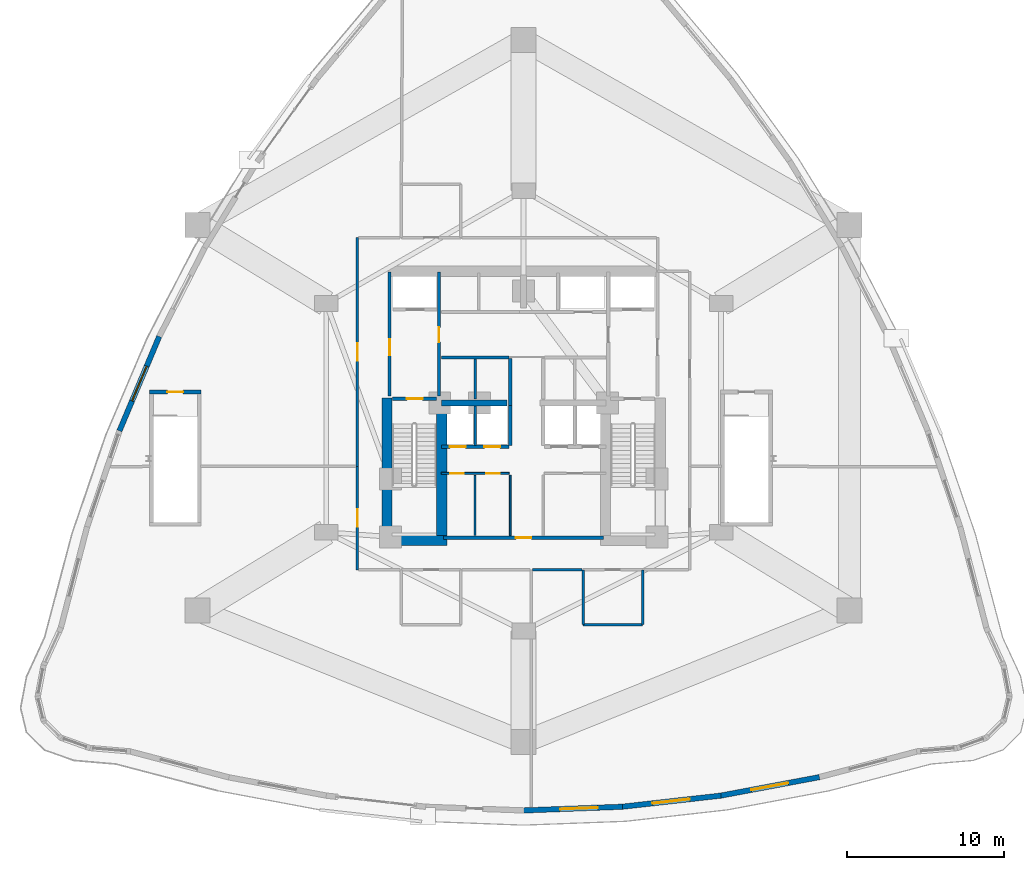
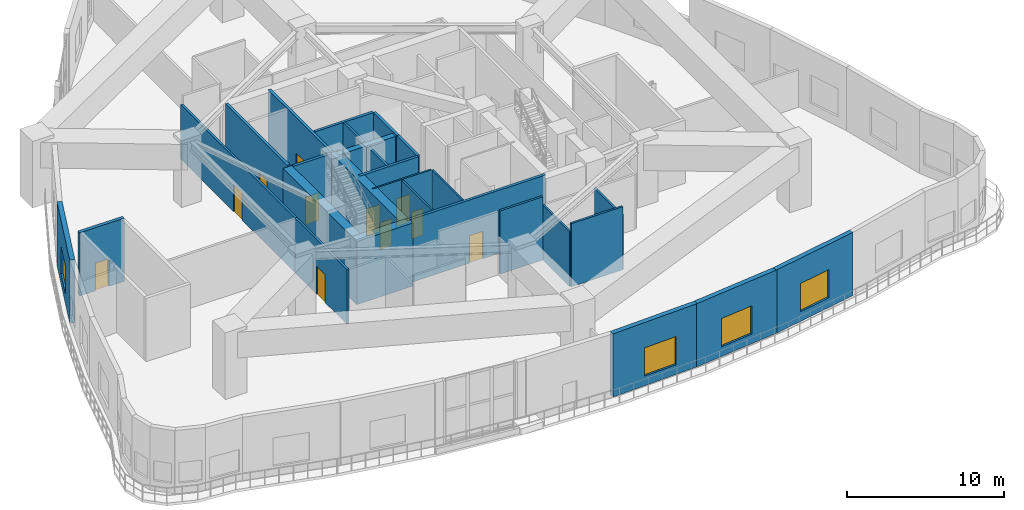
# One storey, part 12 of 19: 28 walls, 11 doors, 4 windows, 15 openings.
"""IFC4 building model written with IfcOpenShell, lengths in metres."""

from ifc_helpers import new_model, si_unit, direction, frame, frame_2d, origin, place, context, subcontext, project, spatial, rectangle, extrude, material, layer, layer_set, type_object, element, fill, save


model = new_model("IFC4")

# Units and contexts
model_context = context("Model", 3, precision=1e-05, world=origin(), true_north=direction((0.0, 1.0)))
body_context = subcontext(model_context, "Body", "Model", "MODEL_VIEW")
ifc_project = project(units=[si_unit("LENGTHUNIT", "METRE"), si_unit("AREAUNIT", "SQUARE_METRE"), si_unit("VOLUMEUNIT", "CUBIC_METRE"), si_unit("PLANEANGLEUNIT", "RADIAN"), si_unit("MASSUNIT", "GRAM", prefix="KILO")], contexts=[model_context])

# Site, building, storey
site_placement = place(None, origin())
site = spatial("IfcSite", under=ifc_project, at=site_placement, CompositionType="ELEMENT")
building_placement = place(site_placement, origin())
building = spatial("IfcBuilding", under=site, at=building_placement, Name="Miruveldt Soraemaru", CompositionType="ELEMENT")
storey_placement = place(building_placement, frame((0.0, 0.0, 24.0)))
storey = spatial("IfcBuildingStorey", under=building, at=storey_placement, Name="L06", CompositionType="ELEMENT", Elevation=24.0)

# Wall
ifc_material_1 = material(Name="Concrete C70/85 (70 MPa)", Category="concrete")
ifc_layer_1 = layer(ifc_material_1, 0.5, Name="Concrete C70/85 (70 MPa)", Category="concrete")
ifc_layer_set_1 = layer_set([ifc_layer_1], Name="Concrete C70/85 (70 MPa)")
wall_type_1 = type_object("IfcWallType", Name="WALL-BW-500", PredefinedType="SHEAR", material=ifc_layer_set_1)
wall_1_placement = place(storey_placement, frame((38.75, 44.050048828125, 0.0), z_axis=(0.0, 0.0, 1.0), x_axis=(1.0, 0.0, 0.0)))
element("IfcWall", 1, at=wall_1_placement, inside=storey, type_object=wall_type_1, Name="L06 Core Buttress Shear Wall BW", PredefinedType="SHEAR", context=body_context, shape_type="SweptSolid", body=[
    extrude(rectangle(XDim=4.199951171875, YDim=0.39990234375, at=frame_2d((2.10009765625, 0.0))), origin(), (0.0, 0.0, 1.0), 4.925048828125),
])

# Wall, opening, door
ifc_material_2 = material(Name="Concrete C50/60 (50 MPa)", Category="concrete")
ifc_layer_2 = layer(ifc_material_2, 0.419921875, Name="Concrete C50/60 (50 MPa)", Category="concrete")
ifc_layer_set_2 = layer_set([ifc_layer_2], Name="Concrete C50/60 (50 MPa)")
wall_type_2 = type_object("IfcWallType", Name="WALL-CW-420", PredefinedType="SHEAR", material=ifc_layer_set_2)
wall_2_placement = place(storey_placement, frame((20.1298828125, 44.75, 0.0), z_axis=(0.0, 0.0, 1.0), x_axis=(1.0, 0.0, 0.0)))
wall_2 = element("IfcWall", 2, at=wall_2_placement, inside=storey, type_object=wall_type_2, Name="L06 Protected Exit Stair ST-3 Structural Shaft Wall N", PredefinedType="SHEAR", context=body_context, shape_type="SweptSolid", body=[
    extrude(rectangle(XDim=3.2900390625, YDim=0.239990234375, at=frame_2d((1.64501953125, 0.0))), origin(), (0.0, 0.0, 1.0), 4.925048828125),
])
opening_1_placement = place(wall_2_placement, frame((1.14501953125, 0.0, 0.0)))
opening_1 = element("IfcOpeningElement", 3, at=opening_1_placement, cuts=wall_2, Name="Opening FD1", PredefinedType="OPENING", context=body_context, shape_type="SweptSolid", body=[
    extrude(rectangle(XDim=1.0, YDim=2.14990234375, at=frame_2d((0.5, 1.074951171875))), frame((0.0, 0.1298828125, 0.0), z_axis=(0.0, -1.0, 0.0), x_axis=(1.0, 0.0, 0.0)), (0.0, 0.0, 1.0), 0.260009765625),
])
ifc_material_3 = material(Name="Anodised aluminium EN AW-6063 T6", Category="aluminium")
door_type_1 = type_object("IfcDoorType", Name="DOOR-FD1-1000", OperationType="NOTDEFINED", PredefinedType="DOOR", material=ifc_material_3)
door_1_placement = place(opening_1_placement, frame((1.0, 0.0, 0.0), z_axis=(0.0, 0.0, 1.0), x_axis=(-1.0, 0.0, 0.0)))
door_1 = element("IfcDoor", 4, at=door_1_placement, inside=storey, type_object=door_type_1, Name="L06 Protected Exit Stair ST-3 Fire Door", OperationType="SINGLE_SWING_LEFT", OverallHeight=2.14990234375, OverallWidth=1.0, PredefinedType="DOOR", context=body_context, shape_type="SweptSolid", body=[
    extrude(rectangle(XDim=1.0, YDim=2.14990234375, at=frame_2d((0.5, 1.074951171875))), frame((0.0, 0.02490234375, 0.0), z_axis=(0.0, -1.0, 0.0), x_axis=(1.0, 0.0, 0.0)), (0.0, 0.0, 1.0), 0.050048828125),
])
fill(opening_1, door_1)

# Walls
ifc_material_4 = material(Name="Concrete C80/95 (80 MPa)", Category="concrete")
ifc_layer_3 = layer(ifc_material_4, 0.64990234375, Name="Concrete C80/95 (80 MPa)", Category="concrete")
ifc_layer_set_3 = layer_set([ifc_layer_3], Name="Concrete C80/95 (80 MPa)")
wall_type_3 = type_object("IfcWallType", Name="WALL-CW-650", PredefinedType="SHEAR", material=ifc_layer_set_3)
wall_3_placement = place(storey_placement, frame((34.949951171875, 35.27490234375, 0.0), z_axis=(0.0, 0.0, 1.0), x_axis=(1.0, 0.0, 0.0)))
element("IfcWall", 5, at=wall_3_placement, inside=storey, type_object=wall_type_3, Name="L06 Central Core Shear Wall S1", PredefinedType="SHEAR", context=body_context, shape_type="SweptSolid", body=[
    extrude(rectangle(XDim=4.150146484375, YDim=0.64990234375, at=frame_2d((2.0751953125, 0.0))), origin(), (0.0, 0.0, 1.0), 4.925048828125),
])
wall_4_placement = place(storey_placement, frame((35.27490234375, 34.949951171875, 0.0), z_axis=(0.0, 0.0, 1.0), x_axis=(0.0, 1.0, 0.0)))
element("IfcWall", 6, at=wall_4_placement, inside=storey, type_object=wall_type_3, Name="L06 Central Core Shear Wall W1", PredefinedType="SHEAR", context=body_context, shape_type="SweptSolid", body=[
    extrude(rectangle(XDim=9.400146484375, YDim=0.64990234375, at=frame_2d((4.7001953125, 0.0))), origin(), (0.0, 0.0, 1.0), 4.925048828125),
])
wall_5_placement = place(storey_placement, frame((38.77490234375, 35.39990234375, 0.0), z_axis=(0.0, 0.0, 1.0), x_axis=(0.0, 1.0, 0.0)))
element("IfcWall", 7, at=wall_5_placement, inside=storey, type_object=wall_type_3, Name="L06 Central Core Shear Wall SW-INT", PredefinedType="SHEAR", context=body_context, shape_type="SweptSolid", body=[
    extrude(rectangle(XDim=8.9501953125, YDim=0.64990234375, at=frame_2d((4.47509765625, 0.0))), origin(), (0.0, 0.0, 1.0), 4.925048828125),
])

# Wall, opening, window
ifc_material_5 = material(Name="Precast concrete C45/55 (45 MPa)", Category="concrete")
ifc_layer_4 = layer(ifc_material_5, 0.340087890625, Name="Precast concrete C45/55 (45 MPa)", Category="concrete")
ifc_layer_set_4 = layer_set([ifc_layer_4], Name="Precast concrete C45/55 (45 MPa)")
wall_type_4 = type_object("IfcWallType", Name="WALL-EXT-PC340", PredefinedType="SOLIDWALL", material=ifc_layer_set_4)
wall_6_placement = place(storey_placement, frame((20.748046875, 48.29052734375, 0.0), z_axis=(0.0, 0.0, 1.0), x_axis=(-0.388364391847, -0.921505886658, 0.0)))
wall_6 = element("IfcWall", 8, at=wall_6_placement, inside=storey, type_object=wall_type_4, Name="L06 Precast Concrete Facade Wall 12", PredefinedType="SOLIDWALL", context=body_context, shape_type="SweptSolid", body=[
    extrude(rectangle(XDim=6.53271484375, YDim=0.340087890625, at=frame_2d((3.266357421875, 0.0))), origin(), (0.0, 0.0, 1.0), 4.925048828125),
])
opening_2_placement = place(wall_6_placement, frame((2.06591796875, 0.0, 0.75)))
opening_2 = element("IfcOpeningElement", 9, at=opening_2_placement, cuts=wall_6, Name="Opening WN-5", PredefinedType="OPENING", context=body_context, shape_type="SweptSolid", body=[
    extrude(rectangle(XDim=2.39990234375, YDim=2.199951171875, at=frame_2d((1.199951171875, 1.10009765625))), frame((0.0, 0.18017578125, 0.0), z_axis=(0.0, -1.0, 0.0), x_axis=(1.0, 0.0, 0.0)), (0.0, 0.0, 1.0), 0.360107421875),
])
ifc_material_6 = material(Name="Triple low-e insulated glazing", Category="glass")
window_type = type_object("IfcWindowType", Name="WIN-PODM-2400x2200", PartitioningType="SINGLE_PANEL", PredefinedType="WINDOW", material=ifc_material_6)
window_1_placement = place(opening_2_placement, origin())
window_1 = element("IfcWindow", 10, at=window_1_placement, inside=storey, type_object=window_type, Name="L06 Punched Triple-Glazed Window 12.1", OverallHeight=2.199951171875, OverallWidth=2.39990234375, PartitioningType="SINGLE_PANEL", PredefinedType="WINDOW", context=body_context, shape_type="SweptSolid", body=[
    extrude(rectangle(XDim=2.39990234375, YDim=2.199951171875, at=frame_2d((1.199951171875, 1.10009765625))), frame((0.0, 0.030029296875, 0.0), z_axis=(0.0, -1.0, 0.0), x_axis=(1.0, 0.0, 0.0)), (0.0, 0.0, 1.0), 0.06005859375),
])
fill(opening_2, window_1)

wall_7_placement = place(storey_placement, frame((43.965087890625, 18.04248046875, 0.0), z_axis=(0.0, 0.0, 1.0), x_axis=(0.999298209032, 0.037457835293, 0.0)))
wall_7 = element("IfcWall", 11, at=wall_7_placement, inside=storey, type_object=wall_type_4, Name="L06 Precast Concrete Facade Wall 25", PredefinedType="SOLIDWALL", context=body_context, shape_type="SweptSolid", body=[
    extrude(rectangle(XDim=6.354736328125, YDim=0.340087890625, at=frame_2d((3.17724609375, 0.0))), origin(), (0.0, 0.0, 1.0), 4.925048828125),
])
opening_3_placement = place(wall_7_placement, frame((2.366943359375, 0.0, 0.75)))
opening_3 = element("IfcOpeningElement", 12, at=opening_3_placement, cuts=wall_7, Name="Opening WN-5", PredefinedType="OPENING", context=body_context, shape_type="SweptSolid", body=[
    extrude(rectangle(XDim=2.39990234375, YDim=2.199951171875, at=frame_2d((1.199951171875, 1.10009765625))), frame((0.0, 0.18017578125, 0.0), z_axis=(0.0, -1.0, 0.0), x_axis=(1.0, 0.0, 0.0)), (0.0, 0.0, 1.0), 0.360107421875),
])
window_2_placement = place(opening_3_placement, origin())
window_2 = element("IfcWindow", 13, at=window_2_placement, inside=storey, type_object=window_type, Name="L06 Punched Triple-Glazed Window 25.1", OverallHeight=2.199951171875, OverallWidth=2.39990234375, PartitioningType="SINGLE_PANEL", PredefinedType="WINDOW", context=body_context, shape_type="SweptSolid", body=[
    extrude(rectangle(XDim=2.39990234375, YDim=2.199951171875, at=frame_2d((1.199951171875, 1.10009765625))), frame((0.0, 0.030029296875, 0.0), z_axis=(0.0, -1.0, 0.0), x_axis=(1.0, 0.0, 0.0)), (0.0, 0.0, 1.0), 0.06005859375),
])
fill(opening_3, window_2)

wall_8_placement = place(storey_placement, frame((50.24560546875, 18.275390625, 0.0), z_axis=(0.0, 0.0, 1.0), x_axis=(0.993731846701, 0.111790057034, 0.0)))
wall_8 = element("IfcWall", 14, at=wall_8_placement, inside=storey, type_object=wall_type_4, Name="L06 Precast Concrete Facade Wall 26", PredefinedType="SOLIDWALL", context=body_context, shape_type="SweptSolid", body=[
    extrude(rectangle(XDim=6.39013671875, YDim=0.340087890625, at=frame_2d((3.195068359375, 0.0))), origin(), (0.0, 0.0, 1.0), 4.925048828125),
])
opening_4_placement = place(wall_8_placement, frame((1.9951171875, 0.0, 0.75)))
opening_4 = element("IfcOpeningElement", 15, at=opening_4_placement, cuts=wall_8, Name="Opening WN-5", PredefinedType="OPENING", context=body_context, shape_type="SweptSolid", body=[
    extrude(rectangle(XDim=2.39990234375, YDim=2.199951171875, at=frame_2d((1.199951171875, 1.10009765625))), frame((0.0, 0.18017578125, 0.0), z_axis=(0.0, -1.0, 0.0), x_axis=(1.0, 0.0, 0.0)), (0.0, 0.0, 1.0), 0.360107421875),
])
window_3_placement = place(opening_4_placement, origin())
window_3 = element("IfcWindow", 16, at=window_3_placement, inside=storey, type_object=window_type, Name="L06 Punched Triple-Glazed Window 26.1", OverallHeight=2.199951171875, OverallWidth=2.39990234375, PartitioningType="SINGLE_PANEL", PredefinedType="WINDOW", context=body_context, shape_type="SweptSolid", body=[
    extrude(rectangle(XDim=2.39990234375, YDim=2.199951171875, at=frame_2d((1.199951171875, 1.10009765625))), frame((0.0, 0.030029296875, 0.0), z_axis=(0.0, -1.0, 0.0), x_axis=(1.0, 0.0, 0.0)), (0.0, 0.0, 1.0), 0.06005859375),
])
fill(opening_4, window_3)

wall_9_placement = place(storey_placement, frame((56.5263671875, 18.979248046875, 0.0), z_axis=(0.0, 0.0, 1.0), x_axis=(0.982866196451, 0.184320481431, 0.0)))
wall_9 = element("IfcWall", 17, at=wall_9_placement, inside=storey, type_object=wall_type_4, Name="L06 Precast Concrete Facade Wall 27", PredefinedType="SOLIDWALL", context=body_context, shape_type="SweptSolid", body=[
    extrude(rectangle(XDim=6.459716796875, YDim=0.340087890625, at=frame_2d((3.22998046875, 0.0))), origin(), (0.0, 0.0, 1.0), 4.925048828125),
])
opening_5_placement = place(wall_9_placement, frame((2.030029296875, 0.0, 0.75)))
opening_5 = element("IfcOpeningElement", 18, at=opening_5_placement, cuts=wall_9, Name="Opening WN-5", PredefinedType="OPENING", context=body_context, shape_type="SweptSolid", body=[
    extrude(rectangle(XDim=2.39990234375, YDim=2.199951171875, at=frame_2d((1.199951171875, 1.10009765625))), frame((0.0, 0.18017578125, 0.0), z_axis=(0.0, -1.0, 0.0), x_axis=(1.0, 0.0, 0.0)), (0.0, 0.0, 1.0), 0.360107421875),
])
window_4_placement = place(opening_5_placement, origin())
window_4 = element("IfcWindow", 19, at=window_4_placement, inside=storey, type_object=window_type, Name="L06 Punched Triple-Glazed Window 27.1", OverallHeight=2.199951171875, OverallWidth=2.39990234375, PartitioningType="SINGLE_PANEL", PredefinedType="WINDOW", context=body_context, shape_type="SweptSolid", body=[
    extrude(rectangle(XDim=2.39990234375, YDim=2.199951171875, at=frame_2d((1.199951171875, 1.10009765625))), frame((0.0, 0.030029296875, 0.0), z_axis=(0.0, -1.0, 0.0), x_axis=(1.0, 0.0, 0.0)), (0.0, 0.0, 1.0), 0.06005859375),
])
fill(opening_5, window_4)

# Wall, openings, doors
ifc_material_7 = material(Name="Gypsum plasterboard lining", Category="gypsum")
ifc_layer_5 = layer(ifc_material_7, 0.1201171875, Name="Gypsum plasterboard lining", Category="gypsum")
ifc_layer_set_5 = layer_set([ifc_layer_5], Name="Gypsum plasterboard lining")
wall_type_5 = type_object("IfcWallType", Name="WALL-INT-P120", PredefinedType="PARTITIONING", material=ifc_layer_set_5)
wall_10_placement = place(storey_placement, frame((38.75, 39.550048828125, 0.0), z_axis=(0.0, 0.0, 1.0), x_axis=(1.0, 0.0, 0.0)))
wall_10 = element("IfcWall", 20, at=wall_10_placement, inside=storey, type_object=wall_type_5, Name="L06 Core Compartment Wall CSW-N", PredefinedType="PARTITIONING", context=body_context, shape_type="SweptSolid", body=[
    extrude(rectangle(XDim=4.330078125, YDim=0.1201171875, at=frame_2d((2.1650390625, 0.0))), origin(), (0.0, 0.0, 1.0), 4.925048828125),
])
opening_6_placement = place(wall_10_placement, frame((0.56005859375, 0.0, 0.0)))
opening_6 = element("IfcOpeningElement", 21, at=opening_6_placement, cuts=wall_10, Name="Opening D4", PredefinedType="OPENING", context=body_context, shape_type="SweptSolid", body=[
    extrude(rectangle(XDim=0.8798828125, YDim=2.10009765625, at=frame_2d((0.43994140625, 1.050048828125))), frame((0.0, 0.070068359375, 0.0), z_axis=(0.0, -1.0, 0.0), x_axis=(1.0, 0.0, 0.0)), (0.0, 0.0, 1.0), 0.14013671875),
])
opening_7_placement = place(wall_10_placement, frame((2.860107421875, 0.0, 0.0)))
opening_7 = element("IfcOpeningElement", 22, at=opening_7_placement, cuts=wall_10, Name="Opening D4", PredefinedType="OPENING", context=body_context, shape_type="SweptSolid", body=[
    extrude(rectangle(XDim=0.8798828125, YDim=2.10009765625, at=frame_2d((0.43994140625, 1.050048828125))), frame((0.0, 0.070068359375, 0.0), z_axis=(0.0, -1.0, 0.0), x_axis=(1.0, 0.0, 0.0)), (0.0, 0.0, 1.0), 0.14013671875),
])
door_type_2 = type_object("IfcDoorType", Name="DOOR-INT-880", OperationType="NOTDEFINED", PredefinedType="DOOR", material=ifc_material_3)
door_2_placement = place(opening_6_placement, origin())
door_2 = element("IfcDoor", 23, at=door_2_placement, inside=storey, type_object=door_type_2, Name="L06 Fire Door", OperationType="SINGLE_SWING_LEFT", OverallHeight=2.10009765625, OverallWidth=0.8798828125, PredefinedType="DOOR", context=body_context, shape_type="SweptSolid", body=[
    extrude(rectangle(XDim=0.8798828125, YDim=2.10009765625, at=frame_2d((0.43994140625, 1.050048828125))), frame((0.0, 0.02490234375, 0.0), z_axis=(0.0, -1.0, 0.0), x_axis=(1.0, 0.0, 0.0)), (0.0, 0.0, 1.0), 0.050048828125),
])
fill(opening_6, door_2)
door_3_placement = place(opening_7_placement, origin())
door_3 = element("IfcDoor", 24, at=door_3_placement, inside=storey, type_object=door_type_2, Name="L06 Fire Door", OperationType="SINGLE_SWING_LEFT", OverallHeight=2.10009765625, OverallWidth=0.8798828125, PredefinedType="DOOR", context=body_context, shape_type="SweptSolid", body=[
    extrude(rectangle(XDim=0.8798828125, YDim=2.10009765625, at=frame_2d((0.43994140625, 1.050048828125))), frame((0.0, 0.02490234375, 0.0), z_axis=(0.0, -1.0, 0.0), x_axis=(1.0, 0.0, 0.0)), (0.0, 0.0, 1.0), 0.050048828125),
])
fill(opening_7, door_3)

# Walls
wall_11_placement = place(storey_placement, frame((43.14990234375, 35.580078125, 0.0), z_axis=(0.0, 0.0, 1.0), x_axis=(0.0, 1.0, 0.0)))
element("IfcWall", 25, at=wall_11_placement, inside=storey, type_object=wall_type_5, Name="L06 Core Compartment Wall SP-WS", PredefinedType="PARTITIONING", context=body_context, shape_type="SweptSolid", body=[
    extrude(rectangle(XDim=3.869873046875, YDim=0.1201171875, at=frame_2d((1.93505859375, 0.0))), origin(), (0.0, 0.0, 1.0), 4.925048828125),
])
wall_12_placement = place(storey_placement, frame((40.89990234375, 35.60009765625, 0.0), z_axis=(0.0, 0.0, 1.0), x_axis=(0.0, 1.0, 0.0)))
element("IfcWall", 26, at=wall_12_placement, inside=storey, type_object=wall_type_5, Name="L06 Core Compartment Wall CW1-V", PredefinedType="PARTITIONING", context=body_context, shape_type="SweptSolid", body=[
    extrude(rectangle(XDim=3.81982421875, YDim=0.1201171875, at=frame_2d((1.909912109375, 0.0))), origin(), (0.0, 0.0, 1.0), 4.925048828125),
])
ifc_layer_6 = layer(ifc_material_7, 0.14990234375, Name="Gypsum plasterboard lining", Category="gypsum")
ifc_layer_set_6 = layer_set([ifc_layer_6], Name="Gypsum plasterboard lining")
wall_type_6 = type_object("IfcWallType", Name="WALL-INT-PLUMB", PredefinedType="PLUMBINGWALL", material=ifc_layer_set_6)
wall_13_placement = place(storey_placement, frame((47.800048828125, 29.89990234375, 0.0), z_axis=(0.0, 0.0, 1.0), x_axis=(1.0, 0.0, 0.0)))
element("IfcWall", 27, at=wall_13_placement, inside=storey, type_object=wall_type_6, Name="L06 Partition Wall 23", PredefinedType="PLUMBINGWALL", context=body_context, shape_type="SweptSolid", body=[
    extrude(rectangle(XDim=3.800048828125, YDim=0.14990234375, at=frame_2d((1.89990234375, 0.0))), origin(), (0.0, 0.0, 1.0), 4.925048828125),
])
for number, where, z_axis, x_axis, name in (
    (28, (47.800048828125, 33.39990234375, 0.0), (0.0, 0.0, 1.0), (0.0, -1.0, 0.0), "L06 Partition Wall 22"),
    (29, (51.60009765625, 29.89990234375, 0.0), (0.0, 0.0, 1.0), (0.0, 1.0, 0.0), "L06 Partition Wall 24"),
):
    element("IfcWall", number, at=place(storey_placement, frame(where, z_axis=z_axis, x_axis=x_axis)), inside=storey, type_object=wall_type_6, Name=name, PredefinedType="PLUMBINGWALL", context=body_context, shape_type="SweptSolid", body=[
        extrude(rectangle(XDim=3.5, YDim=0.14990234375, at=frame_2d((1.75, 0.0))), origin(), (0.0, 0.0, 1.0), 4.262939453125),
    ])

# Wall, opening, door
ifc_material_8 = material(Name="Concrete C40/50 (40 MPa)", Category="concrete")
ifc_layer_7 = layer(ifc_material_8, 0.159912109375, Name="Concrete C40/50 (40 MPa)", Category="concrete")
ifc_layer_set_7 = layer_set([ifc_layer_7], Name="Concrete C40/50 (40 MPa)")
wall_type_7 = type_object("IfcWallType", Name="WALL-INT-RC160", PredefinedType="SOLIDWALL", material=ifc_layer_set_7)
wall_14_placement = place(storey_placement, frame((33.39990234375, 54.60009765625, 0.0), z_axis=(0.0, 0.0, 1.0), x_axis=(0.0, -1.0, 0.0)))
wall_14 = element("IfcWall", 30, at=wall_14_placement, inside=storey, type_object=wall_type_7, Name="L06 Partition Wall 11", PredefinedType="SOLIDWALL", context=body_context, shape_type="SweptSolid", body=[
    extrude(rectangle(XDim=14.60009765625, YDim=0.159912109375, at=frame_2d((7.300048828125, 0.0))), origin(), (0.0, 0.0, 1.0), 4.262939453125),
])
opening_8_placement = place(wall_14_placement, frame((6.75, 0.0, 0.0)))
opening_8 = element("IfcOpeningElement", 31, at=opening_8_placement, cuts=wall_14, Name="Opening FD1A", PredefinedType="OPENING", context=body_context, shape_type="SweptSolid", body=[
    extrude(rectangle(XDim=1.10009765625, YDim=2.14990234375, at=frame_2d((0.550048828125, 1.074951171875))), frame((0.0, 0.08984375, 0.0), z_axis=(0.0, -1.0, 0.0), x_axis=(1.0, 0.0, 0.0)), (0.0, 0.0, 1.0), 0.179931640625),
])
door_type_3 = type_object("IfcDoorType", Name="DOOR-FD1-1100", OperationType="NOTDEFINED", PredefinedType="DOOR", material=ifc_material_3)
door_4_placement = place(opening_8_placement, origin())
door_4 = element("IfcDoor", 32, at=door_4_placement, inside=storey, type_object=door_type_3, Name="L06 Garden Conservatory West Entrance Door", OperationType="SINGLE_SWING_LEFT", OverallHeight=2.14990234375, OverallWidth=1.10009765625, PredefinedType="DOOR", context=body_context, shape_type="SweptSolid", body=[
    extrude(rectangle(XDim=1.10009765625, YDim=2.14990234375, at=frame_2d((0.550048828125, 1.074951171875))), frame((0.0, 0.02490234375, 0.0), z_axis=(0.0, -1.0, 0.0), x_axis=(1.0, 0.0, 0.0)), (0.0, 0.0, 1.0), 0.050048828125),
])
fill(opening_8, door_4)

wall_15_placement = place(storey_placement, frame((33.39990234375, 40.0, 0.0), z_axis=(0.0, 0.0, 1.0), x_axis=(0.0, -1.0, 0.0)))
wall_15 = element("IfcWall", 33, at=wall_15_placement, inside=storey, type_object=wall_type_7, Name="L06 Partition Wall 4", PredefinedType="SOLIDWALL", context=body_context, shape_type="SweptSolid", body=[
    extrude(rectangle(XDim=6.60009765625, YDim=0.159912109375, at=frame_2d((3.300048828125, 0.0))), origin(), (0.0, 0.0, 1.0), 4.262939453125),
])
opening_9_placement = place(wall_15_placement, frame((2.75, 0.0, 0.0)))
opening_9 = element("IfcOpeningElement", 34, at=opening_9_placement, cuts=wall_15, Name="Opening FD1A", PredefinedType="OPENING", context=body_context, shape_type="SweptSolid", body=[
    extrude(rectangle(XDim=1.10009765625, YDim=2.14990234375, at=frame_2d((0.550048828125, 1.074951171875))), frame((0.0, 0.08984375, 0.0), z_axis=(0.0, -1.0, 0.0), x_axis=(1.0, 0.0, 0.0)), (0.0, 0.0, 1.0), 0.179931640625),
])
door_5_placement = place(opening_9_placement, origin())
door_5 = element("IfcDoor", 35, at=door_5_placement, inside=storey, type_object=door_type_3, Name="L06 Transfer Deck Residents Club Lounge Entrance Door", OperationType="SINGLE_SWING_LEFT", OverallHeight=2.14990234375, OverallWidth=1.10009765625, PredefinedType="DOOR", context=body_context, shape_type="SweptSolid", body=[
    extrude(rectangle(XDim=1.10009765625, YDim=2.14990234375, at=frame_2d((0.550048828125, 1.074951171875))), frame((0.0, 0.02490234375, 0.0), z_axis=(0.0, -1.0, 0.0), x_axis=(1.0, 0.0, 0.0)), (0.0, 0.0, 1.0), 0.050048828125),
])
fill(opening_9, door_5)

# Walls
wall_16_placement = place(storey_placement, frame((44.580078125, 33.39990234375, 0.0), z_axis=(0.0, 0.0, 1.0), x_axis=(1.0, 0.0, 0.0)))
element("IfcWall", 36, at=wall_16_placement, inside=storey, type_object=wall_type_7, Name="L06 Partition Wall 7", PredefinedType="SOLIDWALL", context=body_context, shape_type="SweptSolid", body=[
    extrude(rectangle(XDim=3.139892578125, YDim=0.159912109375, at=frame_2d((1.56982421875, 0.0))), origin(), (0.0, 0.0, 1.0), 4.925048828125),
])
wall_17_placement = place(storey_placement, frame((40.89990234375, 44.300048828125, 0.0), z_axis=(0.0, 0.0, 1.0), x_axis=(0.0, 1.0, 0.0)))
element("IfcWall", 37, at=wall_17_placement, inside=storey, type_object=wall_type_7, Name="L06 Core Compartment Wall PLM-DW", PredefinedType="SOLIDWALL", context=body_context, shape_type="SweptSolid", body=[
    extrude(rectangle(XDim=2.550048828125, YDim=0.159912109375, at=frame_2d((1.27490234375, 0.0))), origin(), (0.0, 0.0, 1.0), 4.925048828125),
])
wall_18_placement = place(storey_placement, frame((40.89990234375, 41.320068359375, 0.0), z_axis=(0.0, 0.0, 1.0), x_axis=(0.0, 1.0, 0.0)))
element("IfcWall", 38, at=wall_18_placement, inside=storey, type_object=wall_type_7, Name="L06 Core Compartment Wall PLL-DW", PredefinedType="SOLIDWALL", context=body_context, shape_type="SweptSolid", body=[
    extrude(rectangle(XDim=2.530029296875, YDim=0.159912109375, at=frame_2d((1.26513671875, 0.0))), origin(), (0.0, 0.0, 1.0), 4.925048828125),
])

# Wall, opening, door
ifc_layer_8 = layer(ifc_material_8, 0.199951171875, Name="Concrete C40/50 (40 MPa)", Category="concrete")
ifc_layer_set_8 = layer_set([ifc_layer_8], Name="Concrete C40/50 (40 MPa)")
wall_type_8 = type_object("IfcWallType", Name="WALL-INT-RC200", PredefinedType="SOLIDWALL", material=ifc_layer_set_8)
wall_19_placement = place(storey_placement, frame((38.89990234375, 35.449951171875, 0.0), z_axis=(0.0, 0.0, 1.0), x_axis=(1.0, 0.0, 0.0)))
wall_19 = element("IfcWall", 39, at=wall_19_placement, inside=storey, type_object=wall_type_8, Name="L06 Core Compartment Wall CS-S", PredefinedType="SOLIDWALL", context=body_context, shape_type="SweptSolid", body=[
    extrude(rectangle(XDim=10.2001953125, YDim=0.199951171875, at=frame_2d((5.10009765625, 0.0))), origin(), (0.0, 0.0, 1.0), 4.925048828125),
])
opening_10_placement = place(wall_19_placement, frame((4.60009765625, 0.0, 0.0)))
opening_10 = element("IfcOpeningElement", 40, at=opening_10_placement, cuts=wall_19, Name="Opening FD1", PredefinedType="OPENING", context=body_context, shape_type="SweptSolid", body=[
    extrude(rectangle(XDim=1.0, YDim=2.14990234375, at=frame_2d((0.5, 1.074951171875))), frame((0.0, 0.10986328125, 0.0), z_axis=(0.0, -1.0, 0.0), x_axis=(1.0, 0.0, 0.0)), (0.0, 0.0, 1.0), 0.219970703125),
])
door_6_placement = place(opening_10_placement, origin())
door_6 = element("IfcDoor", 41, at=door_6_placement, inside=storey, type_object=door_type_1, Name="L06 Core South Lobby Fire Door", OperationType="SINGLE_SWING_LEFT", OverallHeight=2.14990234375, OverallWidth=1.0, PredefinedType="DOOR", context=body_context, shape_type="SweptSolid", body=[
    extrude(rectangle(XDim=1.0, YDim=2.14990234375, at=frame_2d((0.5, 1.074951171875))), frame((0.0, 0.02490234375, 0.0), z_axis=(0.0, -1.0, 0.0), x_axis=(1.0, 0.0, 0.0)), (0.0, 0.0, 1.0), 0.050048828125),
])
fill(opening_10, door_6)

wall_20_placement = place(storey_placement, frame((35.449951171875, 44.5, 0.0), z_axis=(0.0, 0.0, 1.0), x_axis=(0.0, 1.0, 0.0)))
wall_20 = element("IfcWall", 42, at=wall_20_placement, inside=storey, type_object=wall_type_8, Name="L06 Core Compartment Wall FFW-OUT", PredefinedType="SOLIDWALL", context=body_context, shape_type="SweptSolid", body=[
    extrude(rectangle(XDim=7.919921875, YDim=0.199951171875, at=frame_2d((3.9599609375, 0.0))), origin(), (0.0, 0.0, 1.0), 4.925048828125),
])
opening_11_placement = place(wall_20_placement, frame((2.60009765625, 0.0, 0.0)))
opening_11 = element("IfcOpeningElement", 43, at=opening_11_placement, cuts=wall_20, Name="Opening FD1", PredefinedType="OPENING", context=body_context, shape_type="SweptSolid", body=[
    extrude(rectangle(XDim=1.0, YDim=2.14990234375, at=frame_2d((0.5, 1.074951171875))), frame((0.0, 0.10986328125, 0.0), z_axis=(0.0, -1.0, 0.0), x_axis=(1.0, 0.0, 0.0)), (0.0, 0.0, 1.0), 0.219970703125),
])
door_7_placement = place(opening_11_placement, origin())
door_7 = element("IfcDoor", 44, at=door_7_placement, inside=storey, type_object=door_type_1, Name="L06 West Firefighting Lobby Exit Door", OperationType="SINGLE_SWING_LEFT", OverallHeight=2.14990234375, OverallWidth=1.0, PredefinedType="DOOR", context=body_context, shape_type="SweptSolid", body=[
    extrude(rectangle(XDim=1.0, YDim=2.14990234375, at=frame_2d((0.5, 1.074951171875))), frame((0.0, 0.02490234375, 0.0), z_axis=(0.0, -1.0, 0.0), x_axis=(1.0, 0.0, 0.0)), (0.0, 0.0, 1.0), 0.050048828125),
])
fill(opening_11, door_7)

wall_21_placement = place(storey_placement, frame((38.60009765625, 44.5, 0.0), z_axis=(0.0, 0.0, 1.0), x_axis=(0.0, 1.0, 0.0)))
wall_21 = element("IfcWall", 45, at=wall_21_placement, inside=storey, type_object=wall_type_8, Name="L06 Core Compartment Wall FFW-IN", PredefinedType="SOLIDWALL", context=body_context, shape_type="SweptSolid", body=[
    extrude(rectangle(XDim=7.919921875, YDim=0.199951171875, at=frame_2d((3.9599609375, 0.0))), origin(), (0.0, 0.0, 1.0), 4.925048828125),
])
opening_12_placement = place(wall_21_placement, frame((3.425048828125, 0.0, 0.0)))
opening_12 = element("IfcOpeningElement", 46, at=opening_12_placement, cuts=wall_21, Name="Opening FD2", PredefinedType="OPENING", context=body_context, shape_type="SweptSolid", body=[
    extrude(rectangle(XDim=0.949951171875, YDim=2.14990234375, at=frame_2d((0.47509765625, 1.074951171875))), frame((0.0, 0.10986328125, 0.0), z_axis=(0.0, -1.0, 0.0), x_axis=(1.0, 0.0, 0.0)), (0.0, 0.0, 1.0), 0.219970703125),
])
door_type_4 = type_object("IfcDoorType", Name="DOOR-FD2-950", OperationType="NOTDEFINED", PredefinedType="DOOR", material=ifc_material_3)
door_8_placement = place(opening_12_placement, frame((0.949951171875, 0.0, 0.0), z_axis=(0.0, 0.0, 1.0), x_axis=(-1.0, 0.0, 0.0)))
door_8 = element("IfcDoor", 47, at=door_8_placement, inside=storey, type_object=door_type_4, Name="L06 Lift Lobby to West Fire Lobby Door", OperationType="SINGLE_SWING_RIGHT", OverallHeight=2.14990234375, OverallWidth=0.949951171875, PredefinedType="DOOR", context=body_context, shape_type="SweptSolid", body=[
    extrude(rectangle(XDim=0.949951171875, YDim=2.14990234375, at=frame_2d((0.47509765625, 1.074951171875))), frame((0.0, 0.02490234375, 0.0), z_axis=(0.0, -1.0, 0.0), x_axis=(1.0, 0.0, 0.0)), (0.0, 0.0, 1.0), 0.050048828125),
])
fill(opening_12, door_8)

# Wall, openings, doors
wall_22_placement = place(storey_placement, frame((38.75, 41.25, 0.0), z_axis=(0.0, 0.0, 1.0), x_axis=(1.0, 0.0, 0.0)))
wall_22 = element("IfcWall", 48, at=wall_22_placement, inside=storey, type_object=wall_type_8, Name="L06 Core Compartment Wall LBW-S", PredefinedType="SOLIDWALL", context=body_context, shape_type="SweptSolid", body=[
    extrude(rectangle(XDim=4.330078125, YDim=0.199951171875, at=frame_2d((2.1650390625, 0.0))), origin(), (0.0, 0.0, 1.0), 4.925048828125),
])
opening_13_placement = place(wall_22_placement, frame((0.550048828125, 0.0, 0.0)))
opening_13 = element("IfcOpeningElement", 49, at=opening_13_placement, cuts=wall_22, Name="Opening LD1B", PredefinedType="OPENING", context=body_context, shape_type="SweptSolid", body=[
    extrude(rectangle(XDim=1.0, YDim=2.14990234375, at=frame_2d((0.5, 1.074951171875))), frame((0.0, 0.10986328125, 0.0), z_axis=(0.0, -1.0, 0.0), x_axis=(1.0, 0.0, 0.0)), (0.0, 0.0, 1.0), 0.219970703125),
])
opening_14_placement = place(wall_22_placement, frame((2.75, 0.0, 0.0)))
opening_14 = element("IfcOpeningElement", 50, at=opening_14_placement, cuts=wall_22, Name="Opening LD1B", PredefinedType="OPENING", context=body_context, shape_type="SweptSolid", body=[
    extrude(rectangle(XDim=1.0, YDim=2.14990234375, at=frame_2d((0.5, 1.074951171875))), frame((0.0, 0.10986328125, 0.0), z_axis=(0.0, -1.0, 0.0), x_axis=(1.0, 0.0, 0.0)), (0.0, 0.0, 1.0), 0.219970703125),
])
door_type_5 = type_object("IfcDoorType", Name="DOOR-LD1-1000", OperationType="SLIDING_TO_LEFT", PredefinedType="DOOR", material=ifc_material_3)
door_9_placement = place(opening_13_placement, frame((1.0, 0.0, 0.0), z_axis=(0.0, 0.0, 1.0), x_axis=(-1.0, 0.0, 0.0)))
door_9 = element("IfcDoor", 51, at=door_9_placement, inside=storey, type_object=door_type_5, Name="L06 PL-L1 Landing Door", OperationType="SLIDING_TO_LEFT", OverallHeight=2.14990234375, OverallWidth=1.0, PredefinedType="DOOR", context=body_context, shape_type="SweptSolid", body=[
    extrude(rectangle(XDim=1.0, YDim=2.14990234375, at=frame_2d((0.5, 1.074951171875))), frame((0.0, 0.02490234375, 0.0), z_axis=(0.0, -1.0, 0.0), x_axis=(1.0, 0.0, 0.0)), (0.0, 0.0, 1.0), 0.050048828125),
])
fill(opening_13, door_9)
door_10_placement = place(opening_14_placement, frame((1.0, 0.0, 0.0), z_axis=(0.0, 0.0, 1.0), x_axis=(-1.0, 0.0, 0.0)))
door_10 = element("IfcDoor", 52, at=door_10_placement, inside=storey, type_object=door_type_5, Name="L06 PL-L2 Landing Door", OperationType="SLIDING_TO_LEFT", OverallHeight=2.14990234375, OverallWidth=1.0, PredefinedType="DOOR", context=body_context, shape_type="SweptSolid", body=[
    extrude(rectangle(XDim=1.0, YDim=2.14990234375, at=frame_2d((0.5, 1.074951171875))), frame((0.0, 0.02490234375, 0.0), z_axis=(0.0, -1.0, 0.0), x_axis=(1.0, 0.0, 0.0)), (0.0, 0.0, 1.0), 0.050048828125),
])
fill(opening_14, door_10)

# Wall, opening, door
wall_23_placement = place(storey_placement, frame((35.64990234375, 44.320068359375, 0.0), z_axis=(0.0, 0.0, 1.0), x_axis=(1.0, 0.0, 0.0)))
wall_23 = element("IfcWall", 53, at=wall_23_placement, inside=storey, type_object=wall_type_8, Name="L06 Core Compartment Wall ST1-N", PredefinedType="SOLIDWALL", context=body_context, shape_type="SweptSolid", body=[
    extrude(rectangle(XDim=2.800048828125, YDim=0.199951171875, at=frame_2d((1.39990234375, 0.0))), origin(), (0.0, 0.0, 1.0), 4.925048828125),
])
opening_15_placement = place(wall_23_placement, frame((0.89990234375, 0.0, 0.0)))
opening_15 = element("IfcOpeningElement", 54, at=opening_15_placement, cuts=wall_23, Name="Opening FD1", PredefinedType="OPENING", context=body_context, shape_type="SweptSolid", body=[
    extrude(rectangle(XDim=1.0, YDim=2.14990234375, at=frame_2d((0.5, 1.074951171875))), frame((0.0, 0.10986328125, 0.0), z_axis=(0.0, -1.0, 0.0), x_axis=(1.0, 0.0, 0.0)), (0.0, 0.0, 1.0), 0.219970703125),
])
door_11_placement = place(opening_15_placement, frame((1.0, 0.0, 0.0), z_axis=(0.0, 0.0, 1.0), x_axis=(-1.0, 0.0, 0.0)))
door_11 = element("IfcDoor", 55, at=door_11_placement, inside=storey, type_object=door_type_1, Name="L06 Stair ST-1 Fire Door", OperationType="SINGLE_SWING_LEFT", OverallHeight=2.14990234375, OverallWidth=1.0, PredefinedType="DOOR", context=body_context, shape_type="SweptSolid", body=[
    extrude(rectangle(XDim=1.0, YDim=2.14990234375, at=frame_2d((0.5, 1.074951171875))), frame((0.0, 0.02490234375, 0.0), z_axis=(0.0, -1.0, 0.0), x_axis=(1.0, 0.0, 0.0)), (0.0, 0.0, 1.0), 0.050048828125),
])
fill(opening_15, door_11)

# Walls
wall_24_placement = place(storey_placement, frame((38.75, 46.949951171875, 0.0), z_axis=(0.0, 0.0, 1.0), x_axis=(1.0, 0.0, 0.0)))
element("IfcWall", 56, at=wall_24_placement, inside=storey, type_object=wall_type_8, Name="L06 Core Compartment Wall MBW-N", PredefinedType="SOLIDWALL", context=body_context, shape_type="SweptSolid", body=[
    extrude(rectangle(XDim=4.330078125, YDim=0.199951171875, at=frame_2d((2.1650390625, 0.0))), origin(), (0.0, 0.0, 1.0), 4.925048828125),
])
wall_25_placement = place(storey_placement, frame((43.14990234375, 43.8798828125, 0.0), z_axis=(0.0, 0.0, 1.0), x_axis=(0.0, 1.0, 0.0)))
element("IfcWall", 57, at=wall_25_placement, inside=storey, type_object=wall_type_8, Name="L06 Core Compartment Wall SP-WB", PredefinedType="SOLIDWALL", context=body_context, shape_type="SweptSolid", body=[
    extrude(rectangle(XDim=3.0, YDim=0.199951171875, at=frame_2d((1.5, 0.0))), origin(), (0.0, 0.0, 1.0), 4.925048828125),
])
wall_26_placement = place(storey_placement, frame((43.14990234375, 41.320068359375, 0.0), z_axis=(0.0, 0.0, 1.0), x_axis=(0.0, 1.0, 0.0)))
element("IfcWall", 58, at=wall_26_placement, inside=storey, type_object=wall_type_8, Name="L06 Core Compartment Wall SP-WC", PredefinedType="SOLIDWALL", context=body_context, shape_type="SweptSolid", body=[
    extrude(rectangle(XDim=2.559814453125, YDim=0.199951171875, at=frame_2d((1.27978515625, 0.0))), origin(), (0.0, 0.0, 1.0), 4.925048828125),
])

save(model, "model.ifc")
